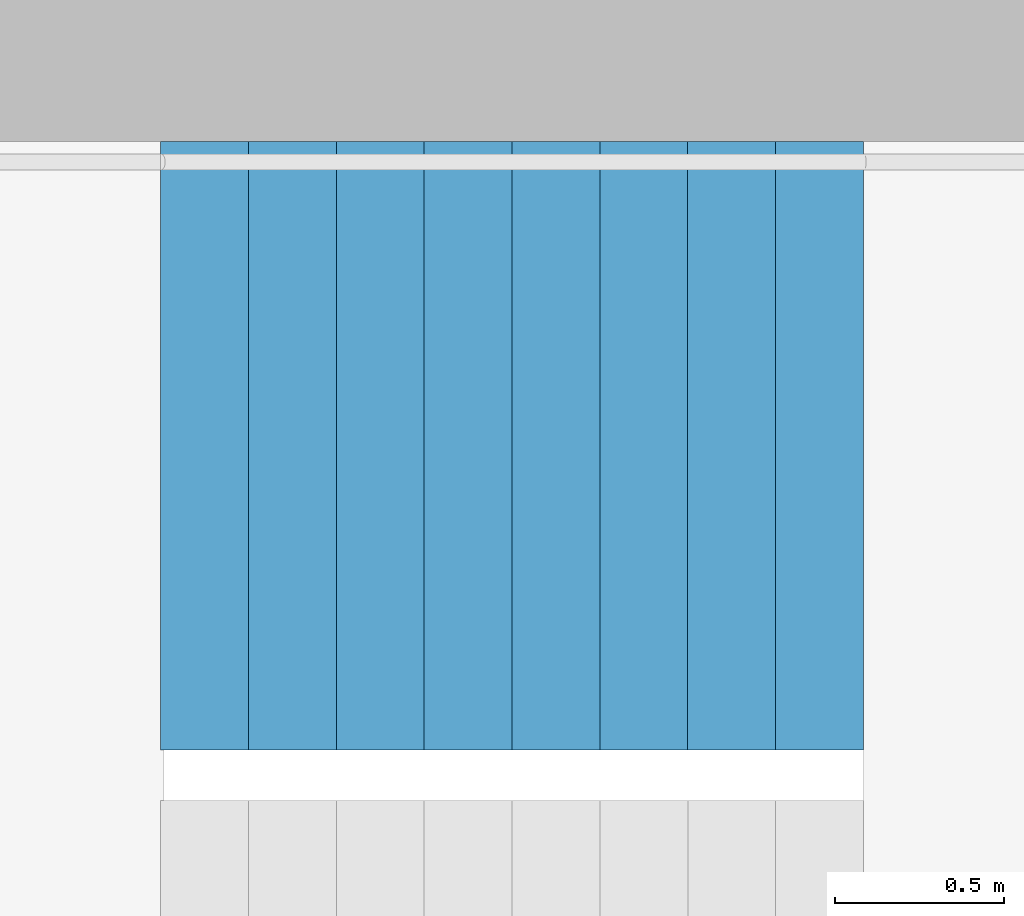
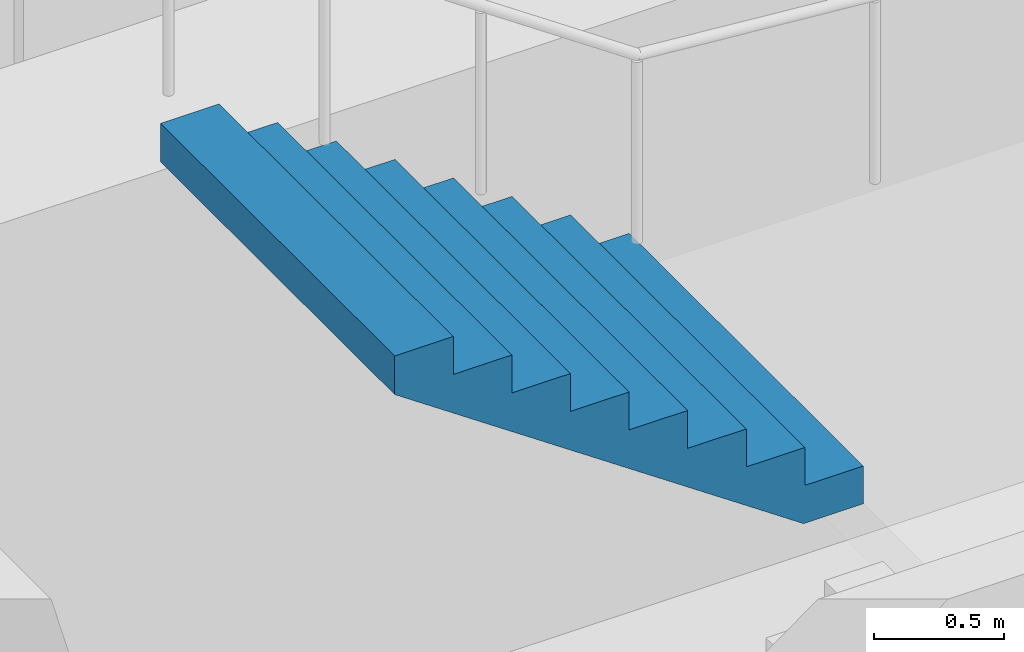
# One storey, part 24 of 29: 1 stair flight, 1 element without a shape of its own.
"""IFC4 building model written with IfcOpenShell, lengths in metres."""

from ifc_helpers import new_model, si_unit, direction, frame, origin, place, context, subcontext, project, spatial, triangles, material, type_object, element, aggregate, save


model = new_model("IFC4")

# Units and contexts
model_context = context("Model", 3, precision=1e-05, world=origin(), true_north=direction((0.0, 1.0)))
body_context = subcontext(model_context, "Body", "Model", "MODEL_VIEW")
ifc_project = project(units=[si_unit("LENGTHUNIT", "METRE"), si_unit("AREAUNIT", "SQUARE_METRE"), si_unit("VOLUMEUNIT", "CUBIC_METRE"), si_unit("PLANEANGLEUNIT", "RADIAN"), si_unit("MASSUNIT", "GRAM", prefix="KILO")], contexts=[model_context])

# Site, building, storey
site_placement = place(None, origin())
site = spatial("IfcSite", under=ifc_project, at=site_placement, CompositionType="ELEMENT")
building_placement = place(site_placement, origin())
building = spatial("IfcBuilding", under=site, at=building_placement, Name="Hakoniwa Tower and Hamabe Station Hall", CompositionType="ELEMENT")
storey_placement = place(building_placement, frame((0.0, 0.0, 85.0)))
storey = spatial("IfcBuildingStorey", under=building, at=storey_placement, Name="L23", CompositionType="ELEMENT", Elevation=85.0)

# Stair, stair flight
ifc_material_1 = material(Name="Concrete C40", Category="concrete")
stair_type = type_object("IfcStairType", Name="ESCAPE STAIR 1800", PredefinedType="HALF_TURN_STAIR", material=ifc_material_1)
stair_placement = place(storey_placement, origin())
stair = element("IfcStair", 1, at=stair_placement, inside=storey, type_object=stair_type, Name="Escape stair ST-1 L23", PredefinedType="HALF_TURN_STAIR")
ifc_material_2 = material(Name="Concrete C40", Category="concrete")
stair_flight_type = type_object("IfcStairFlightType", Name="STAIR FLIGHT 1800", PredefinedType="STRAIGHT", material=ifc_material_2)
stair_flight_placement = place(storey_placement, frame((-22.320068359375, 6.60009765625, 1.60009765625), z_axis=(0.0, 0.0, 1.0), x_axis=(-1.0, 0.0, 0.0)))
stair_flight = element("IfcStairFlight", 2, at=stair_flight_placement, type_object=stair_flight_type, Name="ST-1 flight 2", NumberOfRisers=9, NumberOfTreads=8, PredefinedType="STRAIGHT", RiserHeight=0.177777778, TreadLength=0.26, context=body_context, shape_type="Tessellation", body=[
    triangles([(0.0, 0.89990234375, 0.0), (0.260009765625, 0.89990234375, 0.0), (0.265625, 0.89990234375, 0.0), (0.52001953125, 0.89990234375, 0.174072265625), (0.780029296875, 0.89990234375, 0.351806640625), (1.0400390625, 0.89990234375, 0.529541015625), (1.300048828125, 0.89990234375, 0.707275390625), (1.56005859375, 0.89990234375, 0.885009765625), (1.820068359375, 0.89990234375, 1.062744140625), (2.080078125, 0.89990234375, 1.24072265625), (2.080078125, 0.89990234375, 1.422119140625), (1.820068359375, 0.89990234375, 1.422119140625), (1.820068359375, 0.89990234375, 1.244384765625), (1.56005859375, 0.89990234375, 1.244384765625), (1.56005859375, 0.89990234375, 1.066650390625), (1.300048828125, 0.89990234375, 1.066650390625), (1.300048828125, 0.89990234375, 0.888916015625), (1.0400390625, 0.89990234375, 0.888916015625), (1.0400390625, 0.89990234375, 0.711181640625), (0.780029296875, 0.89990234375, 0.711181640625), (0.780029296875, 0.89990234375, 0.533447265625), (0.52001953125, 0.89990234375, 0.533447265625), (0.52001953125, 0.89990234375, 0.35546875), (0.265625, 0.89990234375, 0.35546875), (0.260009765625, 0.89990234375, 0.35546875), (0.260009765625, 0.89990234375, 0.177734375), (0.0, 0.89990234375, 0.177734375), (0.0, 0.06005859375, 0.0), (0.260009765625, 0.06005859375, 0.0), (0.265625, 0.06005859375, 0.0), (0.52001953125, 0.06005859375, 0.174072265625), (0.780029296875, 0.06005859375, 0.351806640625), (1.0400390625, 0.06005859375, 0.529541015625), (1.300048828125, 0.06005859375, 0.707275390625), (1.56005859375, 0.06005859375, 0.885009765625), (1.820068359375, 0.06005859375, 1.062744140625), (2.080078125, 0.06005859375, 1.24072265625), (2.080078125, 0.06005859375, 1.422119140625), (1.820068359375, 0.06005859375, 1.422119140625), (1.820068359375, 0.06005859375, 1.244384765625), (1.56005859375, 0.06005859375, 1.244384765625), (1.56005859375, 0.06005859375, 1.066650390625), (1.300048828125, 0.06005859375, 1.066650390625), (1.300048828125, 0.06005859375, 0.888916015625), (1.0400390625, 0.06005859375, 0.888916015625), (1.0400390625, 0.06005859375, 0.711181640625), (0.780029296875, 0.06005859375, 0.711181640625), (0.780029296875, 0.06005859375, 0.533447265625), (0.52001953125, 0.06005859375, 0.533447265625), (0.52001953125, 0.06005859375, 0.35546875), (0.265625, 0.06005859375, 0.35546875), (0.260009765625, 0.06005859375, 0.35546875), (0.260009765625, 0.06005859375, 0.177734375), (0.0, 0.06005859375, 0.177734375), (0.0, 0.04296875, 0.0), (0.260009765625, 0.04296875, 0.0), (0.265625, 0.04296875, 0.0), (0.52001953125, 0.04296875, 0.174072265625), (0.780029296875, 0.04296875, 0.351806640625), (1.0400390625, 0.04296875, 0.529541015625), (1.300048828125, 0.04296875, 0.707275390625), (1.56005859375, 0.04296875, 0.885009765625), (1.820068359375, 0.04296875, 1.062744140625), (2.080078125, 0.04296875, 1.24072265625), (2.080078125, 0.04296875, 1.422119140625), (1.820068359375, 0.04296875, 1.422119140625), (1.820068359375, 0.04296875, 1.244384765625), (1.56005859375, 0.04296875, 1.244384765625), (1.56005859375, 0.04296875, 1.066650390625), (1.300048828125, 0.04296875, 1.066650390625), (1.300048828125, 0.04296875, 0.888916015625), (1.0400390625, 0.04296875, 0.888916015625), (1.0400390625, 0.04296875, 0.711181640625), (0.780029296875, 0.04296875, 0.711181640625), (0.780029296875, 0.04296875, 0.533447265625), (0.52001953125, 0.04296875, 0.533447265625), (0.52001953125, 0.04296875, 0.35546875), (0.265625, 0.04296875, 0.35546875), (0.260009765625, 0.04296875, 0.35546875), (0.260009765625, 0.04296875, 0.177734375), (0.0, 0.04296875, 0.177734375), (0.0, 0.025634765625, 0.0), (0.260009765625, 0.025634765625, 0.0), (0.265625, 0.025634765625, 0.0), (0.52001953125, 0.025634765625, 0.174072265625), (0.780029296875, 0.025634765625, 0.351806640625), (1.0400390625, 0.025634765625, 0.529541015625), (1.300048828125, 0.025634765625, 0.707275390625), (1.56005859375, 0.025634765625, 0.885009765625), (1.820068359375, 0.025634765625, 1.062744140625), (2.080078125, 0.025634765625, 1.24072265625), (2.080078125, 0.025634765625, 1.422119140625), (1.820068359375, 0.025634765625, 1.422119140625), (1.820068359375, 0.025634765625, 1.244384765625), (1.56005859375, 0.025634765625, 1.244384765625), (1.56005859375, 0.025634765625, 1.066650390625), (1.300048828125, 0.025634765625, 1.066650390625), (1.300048828125, 0.025634765625, 0.888916015625), (1.0400390625, 0.025634765625, 0.888916015625), (1.0400390625, 0.025634765625, 0.711181640625), (0.780029296875, 0.025634765625, 0.711181640625), (0.780029296875, 0.025634765625, 0.533447265625), (0.52001953125, 0.025634765625, 0.533447265625), (0.52001953125, 0.025634765625, 0.35546875), (0.265625, 0.025634765625, 0.35546875), (0.260009765625, 0.025634765625, 0.35546875), (0.260009765625, 0.025634765625, 0.177734375), (0.0, 0.025634765625, 0.177734375), (0.0, 0.008544921875, 0.0), (0.260009765625, 0.008544921875, 0.0), (0.265625, 0.008544921875, 0.0), (0.52001953125, 0.008544921875, 0.174072265625), (0.780029296875, 0.008544921875, 0.351806640625), (1.0400390625, 0.008544921875, 0.529541015625), (1.300048828125, 0.008544921875, 0.707275390625), (1.56005859375, 0.008544921875, 0.885009765625), (1.820068359375, 0.008544921875, 1.062744140625), (2.080078125, 0.008544921875, 1.24072265625), (2.080078125, 0.008544921875, 1.422119140625), (1.820068359375, 0.008544921875, 1.422119140625), (1.820068359375, 0.008544921875, 1.244384765625), (1.56005859375, 0.008544921875, 1.244384765625), (1.56005859375, 0.008544921875, 1.066650390625), (1.300048828125, 0.008544921875, 1.066650390625), (1.300048828125, 0.008544921875, 0.888916015625), (1.0400390625, 0.008544921875, 0.888916015625), (1.0400390625, 0.008544921875, 0.711181640625), (0.780029296875, 0.008544921875, 0.711181640625), (0.780029296875, 0.008544921875, 0.533447265625), (0.52001953125, 0.008544921875, 0.533447265625), (0.52001953125, 0.008544921875, 0.35546875), (0.265625, 0.008544921875, 0.35546875), (0.260009765625, 0.008544921875, 0.35546875), (0.260009765625, 0.008544921875, 0.177734375), (0.0, 0.008544921875, 0.177734375), (0.0, -0.008544921875, 0.0), (0.260009765625, -0.008544921875, 0.0), (0.265625, -0.008544921875, 0.0), (0.52001953125, -0.008544921875, 0.174072265625), (0.780029296875, -0.008544921875, 0.351806640625), (1.0400390625, -0.008544921875, 0.529541015625), (1.300048828125, -0.008544921875, 0.707275390625), (1.56005859375, -0.008544921875, 0.885009765625), (1.820068359375, -0.008544921875, 1.062744140625), (2.080078125, -0.008544921875, 1.24072265625), (2.080078125, -0.008544921875, 1.422119140625), (1.820068359375, -0.008544921875, 1.422119140625), (1.820068359375, -0.008544921875, 1.244384765625), (1.56005859375, -0.008544921875, 1.244384765625), (1.56005859375, -0.008544921875, 1.066650390625), (1.300048828125, -0.008544921875, 1.066650390625), (1.300048828125, -0.008544921875, 0.888916015625), (1.0400390625, -0.008544921875, 0.888916015625), (1.0400390625, -0.008544921875, 0.711181640625), (0.780029296875, -0.008544921875, 0.711181640625), (0.780029296875, -0.008544921875, 0.533447265625), (0.52001953125, -0.008544921875, 0.533447265625), (0.52001953125, -0.008544921875, 0.35546875), (0.265625, -0.008544921875, 0.35546875), (0.260009765625, -0.008544921875, 0.35546875), (0.260009765625, -0.008544921875, 0.177734375), (0.0, -0.008544921875, 0.177734375), (0.0, -0.025634765625, 0.0), (0.260009765625, -0.025634765625, 0.0), (0.265625, -0.025634765625, 0.0), (0.52001953125, -0.025634765625, 0.174072265625), (0.780029296875, -0.025634765625, 0.351806640625), (1.0400390625, -0.025634765625, 0.529541015625), (1.300048828125, -0.025634765625, 0.707275390625), (1.56005859375, -0.025634765625, 0.885009765625), (1.820068359375, -0.025634765625, 1.062744140625), (2.080078125, -0.025634765625, 1.24072265625), (2.080078125, -0.025634765625, 1.422119140625), (1.820068359375, -0.025634765625, 1.422119140625), (1.820068359375, -0.025634765625, 1.244384765625), (1.56005859375, -0.025634765625, 1.244384765625), (1.56005859375, -0.025634765625, 1.066650390625), (1.300048828125, -0.025634765625, 1.066650390625), (1.300048828125, -0.025634765625, 0.888916015625), (1.0400390625, -0.025634765625, 0.888916015625), (1.0400390625, -0.025634765625, 0.711181640625), (0.780029296875, -0.025634765625, 0.711181640625), (0.780029296875, -0.025634765625, 0.533447265625), (0.52001953125, -0.025634765625, 0.533447265625), (0.52001953125, -0.025634765625, 0.35546875), (0.265625, -0.025634765625, 0.35546875), (0.260009765625, -0.025634765625, 0.35546875), (0.260009765625, -0.025634765625, 0.177734375), (0.0, -0.025634765625, 0.177734375), (0.0, -0.04296875, 0.0), (0.260009765625, -0.04296875, 0.0), (0.265625, -0.04296875, 0.0), (0.52001953125, -0.04296875, 0.174072265625), (0.780029296875, -0.04296875, 0.351806640625), (1.0400390625, -0.04296875, 0.529541015625), (1.300048828125, -0.04296875, 0.707275390625), (1.56005859375, -0.04296875, 0.885009765625), (1.820068359375, -0.04296875, 1.062744140625), (2.080078125, -0.04296875, 1.24072265625), (2.080078125, -0.04296875, 1.422119140625), (1.820068359375, -0.04296875, 1.422119140625), (1.820068359375, -0.04296875, 1.244384765625), (1.56005859375, -0.04296875, 1.244384765625), (1.56005859375, -0.04296875, 1.066650390625), (1.300048828125, -0.04296875, 1.066650390625), (1.300048828125, -0.04296875, 0.888916015625), (1.0400390625, -0.04296875, 0.888916015625), (1.0400390625, -0.04296875, 0.711181640625), (0.780029296875, -0.04296875, 0.711181640625), (0.780029296875, -0.04296875, 0.533447265625), (0.52001953125, -0.04296875, 0.533447265625), (0.52001953125, -0.04296875, 0.35546875), (0.265625, -0.04296875, 0.35546875), (0.260009765625, -0.04296875, 0.35546875), (0.260009765625, -0.04296875, 0.177734375), (0.0, -0.04296875, 0.177734375), (0.0, -0.06005859375, 0.0), (0.260009765625, -0.06005859375, 0.0), (0.265625, -0.06005859375, 0.0), (0.52001953125, -0.06005859375, 0.174072265625), (0.780029296875, -0.06005859375, 0.351806640625), (1.0400390625, -0.06005859375, 0.529541015625), (1.300048828125, -0.06005859375, 0.707275390625), (1.56005859375, -0.06005859375, 0.885009765625), (1.820068359375, -0.06005859375, 1.062744140625), (2.080078125, -0.06005859375, 1.24072265625), (2.080078125, -0.06005859375, 1.422119140625), (1.820068359375, -0.06005859375, 1.422119140625), (1.820068359375, -0.06005859375, 1.244384765625), (1.56005859375, -0.06005859375, 1.244384765625), (1.56005859375, -0.06005859375, 1.066650390625), (1.300048828125, -0.06005859375, 1.066650390625), (1.300048828125, -0.06005859375, 0.888916015625), (1.0400390625, -0.06005859375, 0.888916015625), (1.0400390625, -0.06005859375, 0.711181640625), (0.780029296875, -0.06005859375, 0.711181640625), (0.780029296875, -0.06005859375, 0.533447265625), (0.52001953125, -0.06005859375, 0.533447265625), (0.52001953125, -0.06005859375, 0.35546875), (0.265625, -0.06005859375, 0.35546875), (0.260009765625, -0.06005859375, 0.35546875), (0.260009765625, -0.06005859375, 0.177734375), (0.0, -0.06005859375, 0.177734375), (0.0, -0.89990234375, 0.0), (0.260009765625, -0.89990234375, 0.0), (0.265625, -0.89990234375, 0.0), (0.52001953125, -0.89990234375, 0.174072265625), (0.780029296875, -0.89990234375, 0.351806640625), (1.0400390625, -0.89990234375, 0.529541015625), (1.300048828125, -0.89990234375, 0.707275390625), (1.56005859375, -0.89990234375, 0.885009765625), (1.820068359375, -0.89990234375, 1.062744140625), (2.080078125, -0.89990234375, 1.24072265625), (2.080078125, -0.89990234375, 1.422119140625), (1.820068359375, -0.89990234375, 1.422119140625), (1.820068359375, -0.89990234375, 1.244384765625), (1.56005859375, -0.89990234375, 1.244384765625), (1.56005859375, -0.89990234375, 1.066650390625), (1.300048828125, -0.89990234375, 1.066650390625), (1.300048828125, -0.89990234375, 0.888916015625), (1.0400390625, -0.89990234375, 0.888916015625), (1.0400390625, -0.89990234375, 0.711181640625), (0.780029296875, -0.89990234375, 0.711181640625), (0.780029296875, -0.89990234375, 0.533447265625), (0.52001953125, -0.89990234375, 0.533447265625), (0.52001953125, -0.89990234375, 0.35546875), (0.265625, -0.89990234375, 0.35546875), (0.260009765625, -0.89990234375, 0.35546875), (0.260009765625, -0.89990234375, 0.177734375), (0.0, -0.89990234375, 0.177734375)], [[2, 27, 26], [245, 269, 270], [2, 1, 27], [245, 270, 244], [3, 25, 24], [246, 267, 268], [3, 26, 25], [246, 268, 269], [3, 2, 26], [246, 269, 245], [4, 24, 23], [247, 266, 267], [4, 3, 24], [247, 267, 246], [5, 22, 21], [248, 264, 265], [5, 23, 22], [248, 265, 266], [5, 4, 23], [248, 266, 247], [6, 20, 19], [249, 262, 263], [6, 21, 20], [249, 263, 264], [6, 5, 21], [249, 264, 248], [7, 18, 17], [250, 260, 261], [7, 19, 18], [250, 261, 262], [7, 6, 19], [250, 262, 249], [8, 16, 15], [251, 258, 259], [8, 17, 16], [251, 259, 260], [8, 7, 17], [251, 260, 250], [9, 14, 13], [252, 256, 257], [9, 15, 14], [252, 257, 258], [9, 8, 15], [252, 258, 251], [10, 12, 11], [253, 254, 255], [10, 13, 12], [253, 255, 256], [10, 9, 13], [253, 256, 252], [1, 2, 29], [1, 29, 28], [28, 29, 56], [28, 56, 55], [55, 56, 83], [55, 83, 82], [82, 83, 110], [82, 110, 109], [109, 110, 137], [109, 137, 136], [136, 137, 164], [136, 164, 163], [163, 164, 191], [163, 191, 190], [190, 191, 218], [190, 218, 217], [217, 218, 245], [217, 245, 244], [2, 3, 30], [2, 30, 29], [29, 30, 57], [29, 57, 56], [56, 57, 84], [56, 84, 83], [83, 84, 111], [83, 111, 110], [110, 111, 138], [110, 138, 137], [137, 138, 165], [137, 165, 164], [164, 165, 192], [164, 192, 191], [191, 192, 219], [191, 219, 218], [218, 219, 246], [218, 246, 245], [3, 4, 31], [3, 31, 30], [30, 31, 58], [30, 58, 57], [57, 58, 85], [57, 85, 84], [84, 85, 112], [84, 112, 111], [111, 112, 139], [111, 139, 138], [138, 139, 166], [138, 166, 165], [165, 166, 193], [165, 193, 192], [192, 193, 220], [192, 220, 219], [219, 220, 247], [219, 247, 246], [4, 5, 32], [4, 32, 31], [31, 32, 59], [31, 59, 58], [58, 59, 86], [58, 86, 85], [85, 86, 113], [85, 113, 112], [112, 113, 140], [112, 140, 139], [139, 140, 167], [139, 167, 166], [166, 167, 194], [166, 194, 193], [193, 194, 221], [193, 221, 220], [220, 221, 248], [220, 248, 247], [5, 6, 33], [5, 33, 32], [32, 33, 60], [32, 60, 59], [59, 60, 87], [59, 87, 86], [86, 87, 114], [86, 114, 113], [113, 114, 141], [113, 141, 140], [140, 141, 168], [140, 168, 167], [167, 168, 195], [167, 195, 194], [194, 195, 222], [194, 222, 221], [221, 222, 249], [221, 249, 248], [6, 7, 34], [6, 34, 33], [33, 34, 61], [33, 61, 60], [60, 61, 88], [60, 88, 87], [87, 88, 115], [87, 115, 114], [114, 115, 142], [114, 142, 141], [141, 142, 169], [141, 169, 168], [168, 169, 196], [168, 196, 195], [195, 196, 223], [195, 223, 222], [222, 223, 250], [222, 250, 249], [7, 8, 35], [7, 35, 34], [34, 35, 62], [34, 62, 61], [61, 62, 89], [61, 89, 88], [88, 89, 116], [88, 116, 115], [115, 116, 143], [115, 143, 142], [142, 143, 170], [142, 170, 169], [169, 170, 197], [169, 197, 196], [196, 197, 224], [196, 224, 223], [223, 224, 251], [223, 251, 250], [8, 9, 36], [8, 36, 35], [35, 36, 63], [35, 63, 62], [62, 63, 90], [62, 90, 89], [89, 90, 117], [89, 117, 116], [116, 117, 144], [116, 144, 143], [143, 144, 171], [143, 171, 170], [170, 171, 198], [170, 198, 197], [197, 198, 225], [197, 225, 224], [224, 225, 252], [224, 252, 251], [9, 10, 37], [9, 37, 36], [36, 37, 64], [36, 64, 63], [63, 64, 91], [63, 91, 90], [90, 91, 118], [90, 118, 117], [117, 118, 145], [117, 145, 144], [144, 145, 172], [144, 172, 171], [171, 172, 199], [171, 199, 198], [198, 199, 226], [198, 226, 225], [225, 226, 253], [225, 253, 252], [10, 11, 38], [10, 38, 37], [37, 38, 65], [37, 65, 64], [64, 65, 92], [64, 92, 91], [91, 92, 119], [91, 119, 118], [118, 119, 146], [118, 146, 145], [145, 146, 173], [145, 173, 172], [172, 173, 200], [172, 200, 199], [199, 200, 227], [199, 227, 226], [226, 227, 254], [226, 254, 253], [11, 12, 39], [11, 39, 38], [38, 39, 66], [38, 66, 65], [65, 66, 93], [65, 93, 92], [92, 93, 120], [92, 120, 119], [119, 120, 147], [119, 147, 146], [146, 147, 174], [146, 174, 173], [173, 174, 201], [173, 201, 200], [200, 201, 228], [200, 228, 227], [227, 228, 255], [227, 255, 254], [12, 13, 40], [12, 40, 39], [39, 40, 67], [39, 67, 66], [66, 67, 94], [66, 94, 93], [93, 94, 121], [93, 121, 120], [120, 121, 148], [120, 148, 147], [147, 148, 175], [147, 175, 174], [174, 175, 202], [174, 202, 201], [201, 202, 229], [201, 229, 228], [228, 229, 256], [228, 256, 255], [13, 14, 41], [13, 41, 40], [40, 41, 68], [40, 68, 67], [67, 68, 95], [67, 95, 94], [94, 95, 122], [94, 122, 121], [121, 122, 149], [121, 149, 148], [148, 149, 176], [148, 176, 175], [175, 176, 203], [175, 203, 202], [202, 203, 230], [202, 230, 229], [229, 230, 257], [229, 257, 256], [14, 15, 42], [14, 42, 41], [41, 42, 69], [41, 69, 68], [68, 69, 96], [68, 96, 95], [95, 96, 123], [95, 123, 122], [122, 123, 150], [122, 150, 149], [149, 150, 177], [149, 177, 176], [176, 177, 204], [176, 204, 203], [203, 204, 231], [203, 231, 230], [230, 231, 258], [230, 258, 257], [15, 16, 43], [15, 43, 42], [42, 43, 70], [42, 70, 69], [69, 70, 97], [69, 97, 96], [96, 97, 124], [96, 124, 123], [123, 124, 151], [123, 151, 150], [150, 151, 178], [150, 178, 177], [177, 178, 205], [177, 205, 204], [204, 205, 232], [204, 232, 231], [231, 232, 259], [231, 259, 258], [16, 17, 44], [16, 44, 43], [43, 44, 71], [43, 71, 70], [70, 71, 98], [70, 98, 97], [97, 98, 125], [97, 125, 124], [124, 125, 152], [124, 152, 151], [151, 152, 179], [151, 179, 178], [178, 179, 206], [178, 206, 205], [205, 206, 233], [205, 233, 232], [232, 233, 260], [232, 260, 259], [17, 18, 45], [17, 45, 44], [44, 45, 72], [44, 72, 71], [71, 72, 99], [71, 99, 98], [98, 99, 126], [98, 126, 125], [125, 126, 153], [125, 153, 152], [152, 153, 180], [152, 180, 179], [179, 180, 207], [179, 207, 206], [206, 207, 234], [206, 234, 233], [233, 234, 261], [233, 261, 260], [18, 19, 46], [18, 46, 45], [45, 46, 73], [45, 73, 72], [72, 73, 100], [72, 100, 99], [99, 100, 127], [99, 127, 126], [126, 127, 154], [126, 154, 153], [153, 154, 181], [153, 181, 180], [180, 181, 208], [180, 208, 207], [207, 208, 235], [207, 235, 234], [234, 235, 262], [234, 262, 261], [19, 20, 47], [19, 47, 46], [46, 47, 74], [46, 74, 73], [73, 74, 101], [73, 101, 100], [100, 101, 128], [100, 128, 127], [127, 128, 155], [127, 155, 154], [154, 155, 182], [154, 182, 181], [181, 182, 209], [181, 209, 208], [208, 209, 236], [208, 236, 235], [235, 236, 263], [235, 263, 262], [20, 21, 48], [20, 48, 47], [47, 48, 75], [47, 75, 74], [74, 75, 102], [74, 102, 101], [101, 102, 129], [101, 129, 128], [128, 129, 156], [128, 156, 155], [155, 156, 183], [155, 183, 182], [182, 183, 210], [182, 210, 209], [209, 210, 237], [209, 237, 236], [236, 237, 264], [236, 264, 263], [21, 22, 49], [21, 49, 48], [48, 49, 76], [48, 76, 75], [75, 76, 103], [75, 103, 102], [102, 103, 130], [102, 130, 129], [129, 130, 157], [129, 157, 156], [156, 157, 184], [156, 184, 183], [183, 184, 211], [183, 211, 210], [210, 211, 238], [210, 238, 237], [237, 238, 265], [237, 265, 264], [22, 23, 50], [22, 50, 49], [49, 50, 77], [49, 77, 76], [76, 77, 104], [76, 104, 103], [103, 104, 131], [103, 131, 130], [130, 131, 158], [130, 158, 157], [157, 158, 185], [157, 185, 184], [184, 185, 212], [184, 212, 211], [211, 212, 239], [211, 239, 238], [238, 239, 266], [238, 266, 265], [23, 24, 51], [23, 51, 50], [50, 51, 78], [50, 78, 77], [77, 78, 105], [77, 105, 104], [104, 105, 132], [104, 132, 131], [131, 132, 159], [131, 159, 158], [158, 159, 186], [158, 186, 185], [185, 186, 213], [185, 213, 212], [212, 213, 240], [212, 240, 239], [239, 240, 267], [239, 267, 266], [24, 25, 52], [24, 52, 51], [51, 52, 79], [51, 79, 78], [78, 79, 106], [78, 106, 105], [105, 106, 133], [105, 133, 132], [132, 133, 160], [132, 160, 159], [159, 160, 187], [159, 187, 186], [186, 187, 214], [186, 214, 213], [213, 214, 241], [213, 241, 240], [240, 241, 268], [240, 268, 267], [25, 26, 53], [25, 53, 52], [52, 53, 80], [52, 80, 79], [79, 80, 107], [79, 107, 106], [106, 107, 134], [106, 134, 133], [133, 134, 161], [133, 161, 160], [160, 161, 188], [160, 188, 187], [187, 188, 215], [187, 215, 214], [214, 215, 242], [214, 242, 241], [241, 242, 269], [241, 269, 268], [26, 27, 54], [26, 54, 53], [53, 54, 81], [53, 81, 80], [80, 81, 108], [80, 108, 107], [107, 108, 135], [107, 135, 134], [134, 135, 162], [134, 162, 161], [161, 162, 189], [161, 189, 188], [188, 189, 216], [188, 216, 215], [215, 216, 243], [215, 243, 242], [242, 243, 270], [242, 270, 269], [27, 1, 28], [27, 28, 54], [54, 28, 55], [54, 55, 81], [81, 55, 82], [81, 82, 108], [108, 82, 109], [108, 109, 135], [135, 109, 136], [135, 136, 162], [162, 136, 163], [162, 163, 189], [189, 163, 190], [189, 190, 216], [216, 190, 217], [216, 217, 243], [243, 217, 244], [243, 244, 270]], closed=True),
])
aggregate(stair, [stair_flight])

save(model, "model.ifc")
